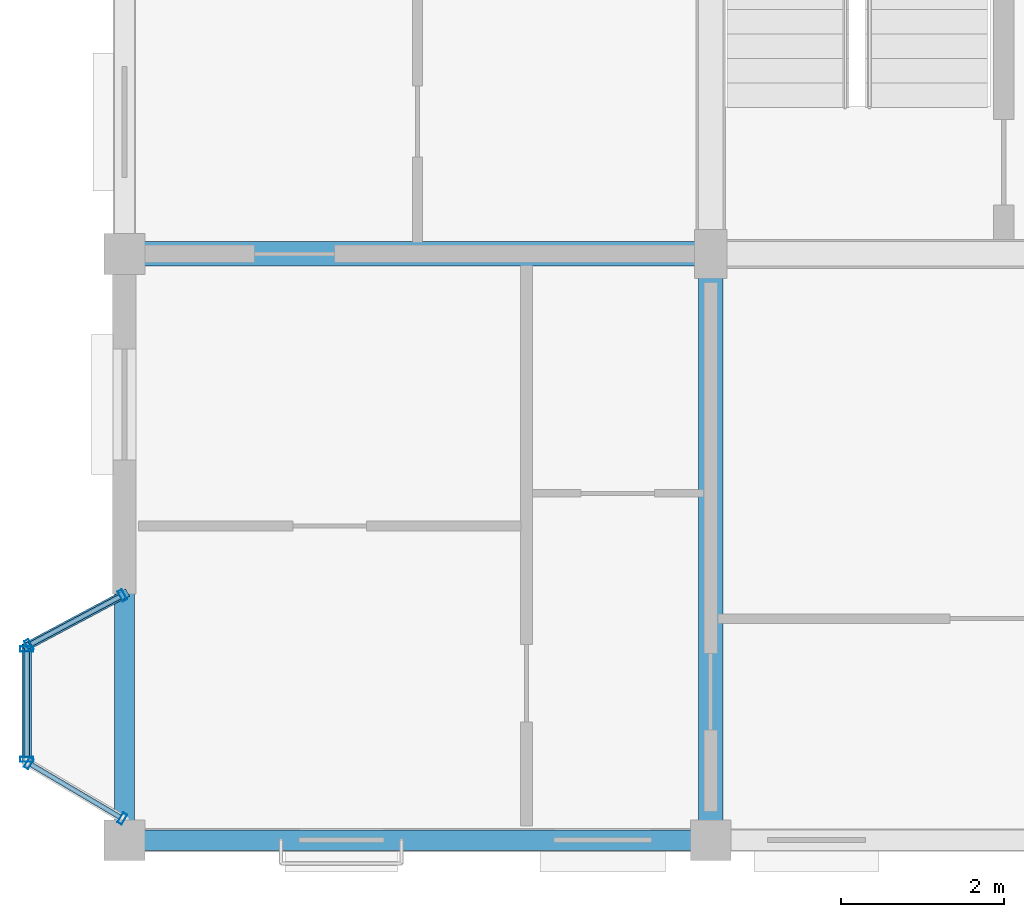
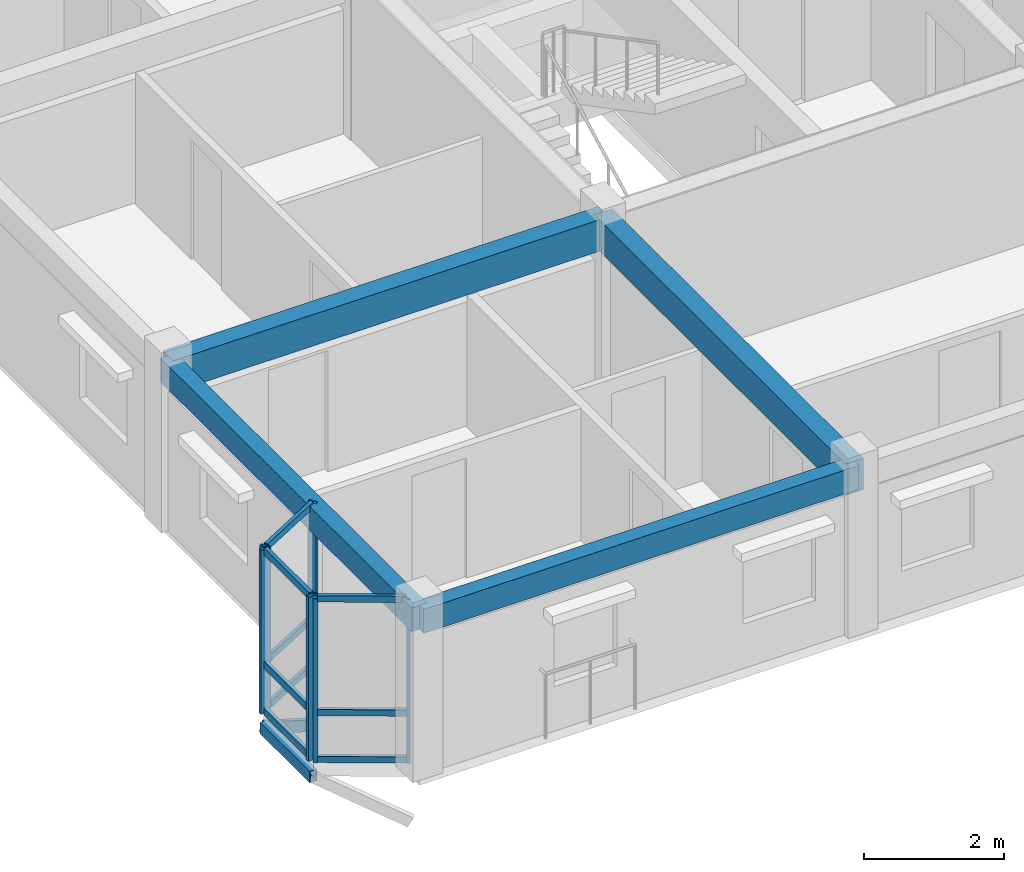
# One storey, part 3 of 38: 17 members, 4 beams, 3 elements without a shape of their own.
"""IFC4 building model written with IfcOpenShell, lengths in metres."""

from ifc_helpers import new_model, si_unit, direction, frame, origin, origin_2d, place, context, subcontext, project, spatial, rectangle, hollow_rectangle, extrude, material, layer, layer_set, material_profile, profile_set, type_object, element, aggregate, save


model = new_model("IFC4")

# Units and contexts
model_context = context("Model", 3, precision=1e-05, world=origin(), true_north=direction((0.0, 1.0)))
body_context = subcontext(model_context, "Body", "Model", "MODEL_VIEW")
ifc_project = project(units=[si_unit("LENGTHUNIT", "METRE"), si_unit("AREAUNIT", "SQUARE_METRE"), si_unit("VOLUMEUNIT", "CUBIC_METRE"), si_unit("PLANEANGLEUNIT", "RADIAN"), si_unit("MASSUNIT", "GRAM", prefix="KILO"), si_unit("THERMODYNAMICTEMPERATUREUNIT", "KELVIN"), si_unit("POWERUNIT", "WATT")], contexts=[model_context])

# Site, building, storey
site_placement = place(None, origin())
site = spatial("IfcSite", under=ifc_project, at=site_placement, CompositionType="ELEMENT")
building_placement = place(site_placement, origin())
building = spatial("IfcBuilding", under=site, at=building_placement, Name="Tavuni Mirador Residences", CompositionType="ELEMENT")
storey_placement = place(building_placement, frame((0.0, 0.0, 32.85009765625)))
storey = spatial("IfcBuildingStorey", under=building, at=storey_placement, Name="L10", CompositionType="ELEMENT", Elevation=32.85009765625)

# Beams
ifc_material_1 = material(Name="Precast concrete C40/50", Category="concrete")
ifc_material_profile_1 = material_profile(ifc_material_1, rectangle(XDim=0.300048828125, YDim=0.550048828125, at=origin_2d()), Name="PC 300x550", Category="concrete")
ifc_profile_set_1 = profile_set([ifc_material_profile_1], Name="Precast concrete C40/50")
beam_type_1 = type_object("IfcBeamType", Name="BT-B550", PredefinedType="BEAM", material=ifc_profile_set_1)
for number, where, z_axis, x_axis, name in (
    (1, (3.60009765625, 14.39990234375, 2.594970703125), (1.0, 0.0, 0.0), (0.0, 1.0, 0.0), "BMX-BLK-A-L10-00-01"),
    (2, (10.800048828125, 7.199951171875, 2.594970703125), (0.0, 1.0, 0.0), (-1.0, 0.0, 0.0), "BMY-BLK-A-L10-01-00"),
):
    element("IfcBeam", number, at=place(storey_placement, frame(where, z_axis=z_axis, x_axis=x_axis)), inside=storey, type_object=beam_type_1, Name=name, PredefinedType="BEAM", context=body_context, shape_type="SweptSolid", body=[
        extrude(rectangle(XDim=0.300048828125, YDim=0.550048828125, at=origin_2d()), origin(), (0.0, 0.0, 1.0), 7.199951171875),
    ])
ifc_material_profile_2 = material_profile(ifc_material_1, rectangle(XDim=0.25, YDim=0.419921875, at=origin_2d()), Name="PC 250x420", Category="concrete")
ifc_profile_set_2 = profile_set([ifc_material_profile_2], Name="Precast concrete C40/50")
beam_type_2 = type_object("IfcBeamType", Name="BT-SP420", PredefinedType="SPANDREL", material=ifc_profile_set_2)
for number, where, z_axis, x_axis, name in (
    (3, (3.60009765625, 7.199951171875, 2.659912109375), (1.0, 0.0, 0.0), (0.0, 1.0, 0.0), "BMX-BLK-A-L10-00-00"),
    (4, (3.60009765625, 7.199951171875, 2.659912109375), (0.0, 1.0, 0.0), (-1.0, 0.0, 0.0), "BMY-BLK-A-L10-00-00"),
):
    element("IfcBeam", number, at=place(storey_placement, frame(where, z_axis=z_axis, x_axis=x_axis)), inside=storey, type_object=beam_type_2, Name=name, PredefinedType="SPANDREL", context=body_context, shape_type="SweptSolid", body=[
        extrude(rectangle(XDim=0.25, YDim=0.419921875, at=origin_2d()), origin(), (0.0, 0.0, 1.0), 7.199951171875),
    ])

# Curtain wall, members
ifc_material_2 = material(Name="Anodised aluminium", Category="aluminium")
ifc_layer_1 = layer(ifc_material_2, 0.1650390625, Name="Anodised aluminium", Category="aluminium")
ifc_layer_set_1 = layer_set([ifc_layer_1], Name="Anodised aluminium")
curtain_wall_type_1 = type_object("IfcCurtainWallType", Name="CWT-MIR-A", PredefinedType="NOTDEFINED", material=ifc_layer_set_1)
curtain_wall_1_placement = place(storey_placement, origin())
curtain_wall_1 = element("IfcCurtainWall", 5, at=curtain_wall_1_placement, inside=storey, type_object=curtain_wall_type_1, Name="CW-MIR-A-W1-L10-M1", PredefinedType="NOTDEFINED")
ifc_material_profile_3 = material_profile(ifc_material_2, hollow_rectangle(XDim=0.06005859375, YDim=0.139892578125, WallThickness=0.00390625, at=origin_2d()), Name="ALU 60x140x4.0", Category="aluminium")
ifc_profile_set_3 = profile_set([ifc_material_profile_3], Name="Anodised aluminium")
member_type_1 = type_object("IfcMemberType", Name="CWM-140", PredefinedType="MULLION", material=ifc_profile_set_3)
member_1_placement = place(storey_placement, frame((3.573486328125, 10.205810546875, 0.0), z_axis=(0.0, 0.0, 1.0), x_axis=(-0.882352941175, -0.470588235296, 0.0)))
member_1 = element("IfcMember", 6, at=member_1_placement, type_object=member_type_1, Name="CW-01 mullion 1", PredefinedType="MULLION", context=body_context, shape_type="SweptSolid", body=[
    extrude(hollow_rectangle(XDim=0.06005859375, YDim=0.139892578125, WallThickness=0.00390625, at=origin_2d()), origin(), (0.0, 0.0, 1.0), 2.869873046875),
])
member_2_placement = place(storey_placement, frame((2.426513671875, 9.59423828125, 0.0), z_axis=(0.0, 0.0, 1.0), x_axis=(-0.882352941175, -0.470588235296, 0.0)))
member_2 = element("IfcMember", 7, at=member_2_placement, type_object=member_type_1, Name="CW-01 mullion 2", PredefinedType="MULLION", context=body_context, shape_type="SweptSolid", body=[
    extrude(hollow_rectangle(XDim=0.06005859375, YDim=0.139892578125, WallThickness=0.00390625, at=origin_2d()), origin(), (0.0, 0.0, 1.0), 2.869873046875),
])

ifc_layer_2 = layer(ifc_material_2, 0.175048828125, Name="Anodised aluminium", Category="aluminium")
ifc_layer_set_2 = layer_set([ifc_layer_2], Name="Anodised aluminium")
curtain_wall_type_2 = type_object("IfcCurtainWallType", Name="CWT-MIR-C", PredefinedType="NOTDEFINED", material=ifc_layer_set_2)
curtain_wall_2_placement = place(storey_placement, origin())
curtain_wall_2 = element("IfcCurtainWall", 8, at=curtain_wall_2_placement, inside=storey, type_object=curtain_wall_type_2, Name="CW-MIR-A-W1-L10-M2", PredefinedType="NOTDEFINED")
member_3_placement = place(storey_placement, frame((2.42578125, 8.144775390625, 0.0), z_axis=(0.0, 0.0, 1.0), x_axis=(0.860640830284, -0.509212491254, 0.0)))
member_3 = element("IfcMember", 9, at=member_3_placement, type_object=member_type_1, Name="CW-03 mullion 1", PredefinedType="MULLION", context=body_context, shape_type="SweptSolid", body=[
    extrude(hollow_rectangle(XDim=0.06005859375, YDim=0.139892578125, WallThickness=0.00390625, at=origin_2d()), origin(), (0.0, 0.0, 1.0), 2.869873046875),
])
member_4_placement = place(storey_placement, frame((3.57421875, 7.46533203125, 0.0), z_axis=(0.0, 0.0, 1.0), x_axis=(0.860640830284, -0.509212491254, 0.0)))
member_4 = element("IfcMember", 10, at=member_4_placement, type_object=member_type_1, Name="CW-03 mullion 2", PredefinedType="MULLION", context=body_context, shape_type="SweptSolid", body=[
    extrude(hollow_rectangle(XDim=0.06005859375, YDim=0.139892578125, WallThickness=0.00390625, at=origin_2d()), origin(), (0.0, 0.0, 1.0), 2.869873046875),
])

ifc_layer_3 = layer(ifc_material_2, 0.14990234375, Name="Anodised aluminium", Category="aluminium")
ifc_layer_set_3 = layer_set([ifc_layer_3], Name="Anodised aluminium")
curtain_wall_type_3 = type_object("IfcCurtainWallType", Name="CWT-MIR-B", PredefinedType="NOTDEFINED", material=ifc_layer_set_3)
curtain_wall_3_placement = place(storey_placement, origin())
curtain_wall_3 = element("IfcCurtainWall", 11, at=curtain_wall_3_placement, inside=storey, type_object=curtain_wall_type_3, Name="CW-MIR-A-W1-L10-MF", PredefinedType="NOTDEFINED")
ifc_material_profile_4 = material_profile(ifc_material_2, hollow_rectangle(XDim=0.06494140625, YDim=0.1650390625, WallThickness=0.00439453125, at=origin_2d()), Name="ALU 65x165x4.5", Category="aluminium")
ifc_profile_set_4 = profile_set([ifc_material_profile_4], Name="Anodised aluminium")
member_type_2 = type_object("IfcMemberType", Name="CWM-165", PredefinedType="MULLION", material=ifc_profile_set_4)
member_5_placement = place(storey_placement, frame((2.39990234375, 9.547607421875, 0.0), z_axis=(0.0, 0.0, 1.0), x_axis=(0.0, -1.0, 0.0)))
member_5 = element("IfcMember", 12, at=member_5_placement, type_object=member_type_2, Name="CW-02 mullion 1", PredefinedType="MULLION", context=body_context, shape_type="SweptSolid", body=[
    extrude(hollow_rectangle(XDim=0.06494140625, YDim=0.1650390625, WallThickness=0.00439453125, at=origin_2d()), origin(), (0.0, 0.0, 1.0), 2.869873046875),
])
member_6_placement = place(storey_placement, frame((2.39990234375, 8.1923828125, 0.0), z_axis=(0.0, 0.0, 1.0), x_axis=(0.0, -1.0, 0.0)))
member_6 = element("IfcMember", 13, at=member_6_placement, type_object=member_type_2, Name="CW-02 mullion 2", PredefinedType="MULLION", context=body_context, shape_type="SweptSolid", body=[
    extrude(hollow_rectangle(XDim=0.06494140625, YDim=0.1650390625, WallThickness=0.00439453125, at=origin_2d()), origin(), (0.0, 0.0, 1.0), 2.869873046875),
])

# Member
ifc_material_profile_5 = material_profile(ifc_material_2, hollow_rectangle(XDim=0.06005859375, YDim=0.110107421875, WallThickness=0.00390625, at=origin_2d()), Name="ALU 60x110x4.0", Category="aluminium")
ifc_profile_set_5 = profile_set([ifc_material_profile_5], Name="Anodised aluminium")
member_type_3 = type_object("IfcMemberType", Name="CWT-110", PredefinedType="USERDEFINED", material=ifc_profile_set_5)
member_7_placement = place(storey_placement, frame((3.547119140625, 10.191650390625, 0.02978515625), z_axis=(-0.882385637708, -0.470526924168, 0.0), x_axis=(0.470526924168, -0.882385637708, 0.0)))
member_7 = element("IfcMember", 14, at=member_7_placement, type_object=member_type_3, Name="CW-01 transom 1.1", ObjectType="TRANSOM", PredefinedType="USERDEFINED", context=body_context, shape_type="SweptSolid", body=[
    extrude(hollow_rectangle(XDim=0.06005859375, YDim=0.110107421875, WallThickness=0.00390625, at=origin_2d()), origin(), (0.0, 0.0, 1.0), 1.239990234375),
])

member_8_placement = place(storey_placement, frame((3.547119140625, 10.191650390625, 0.849853515625), z_axis=(-0.882385637708, -0.470526924168, 0.0), x_axis=(0.470526924168, -0.882385637708, 0.0)))
member_8 = element("IfcMember", 15, at=member_8_placement, type_object=member_type_3, Name="CW-01 transom 1.2", ObjectType="TRANSOM", PredefinedType="USERDEFINED", context=body_context, shape_type="SweptSolid", body=[
    extrude(hollow_rectangle(XDim=0.06005859375, YDim=0.110107421875, WallThickness=0.00390625, at=origin_2d()), origin(), (0.0, 0.0, 1.0), 1.239990234375),
])

member_9_placement = place(storey_placement, frame((3.547119140625, 10.191650390625, 2.83984375), z_axis=(-0.882385637708, -0.470526924168, 0.0), x_axis=(0.470526924168, -0.882385637708, 0.0)))
member_9 = element("IfcMember", 16, at=member_9_placement, type_object=member_type_3, Name="CW-01 transom 1.3", ObjectType="TRANSOM", PredefinedType="USERDEFINED", context=body_context, shape_type="SweptSolid", body=[
    extrude(hollow_rectangle(XDim=0.06005859375, YDim=0.110107421875, WallThickness=0.00390625, at=origin_2d()), origin(), (0.0, 0.0, 1.0), 1.239990234375),
])

aggregate(curtain_wall_1, [member_1, member_2, member_7, member_8, member_9])

member_10_placement = place(storey_placement, frame((2.45166015625, 8.12939453125, 0.02978515625), z_axis=(0.860621238039, -0.509245603452, 0.0), x_axis=(0.509245603452, 0.860621238039, 0.0)))
member_10 = element("IfcMember", 17, at=member_10_placement, type_object=member_type_3, Name="CW-03 transom 1.1", ObjectType="TRANSOM", PredefinedType="USERDEFINED", context=body_context, shape_type="SweptSolid", body=[
    extrude(hollow_rectangle(XDim=0.06005859375, YDim=0.110107421875, WallThickness=0.00390625, at=origin_2d()), origin(), (0.0, 0.0, 1.0), 1.274169921875),
])

member_11_placement = place(storey_placement, frame((2.45166015625, 8.12939453125, 0.849853515625), z_axis=(0.860621238039, -0.509245603452, 0.0), x_axis=(0.509245603452, 0.860621238039, 0.0)))
member_11 = element("IfcMember", 18, at=member_11_placement, type_object=member_type_3, Name="CW-03 transom 1.2", ObjectType="TRANSOM", PredefinedType="USERDEFINED", context=body_context, shape_type="SweptSolid", body=[
    extrude(hollow_rectangle(XDim=0.06005859375, YDim=0.110107421875, WallThickness=0.00390625, at=origin_2d()), origin(), (0.0, 0.0, 1.0), 1.274169921875),
])

member_12_placement = place(storey_placement, frame((2.45166015625, 8.12939453125, 2.83984375), z_axis=(0.860621238039, -0.509245603452, 0.0), x_axis=(0.509245603452, 0.860621238039, 0.0)))
member_12 = element("IfcMember", 19, at=member_12_placement, type_object=member_type_3, Name="CW-03 transom 1.3", ObjectType="TRANSOM", PredefinedType="USERDEFINED", context=body_context, shape_type="SweptSolid", body=[
    extrude(hollow_rectangle(XDim=0.06005859375, YDim=0.110107421875, WallThickness=0.00390625, at=origin_2d()), origin(), (0.0, 0.0, 1.0), 1.274169921875),
])

aggregate(curtain_wall_2, [member_3, member_4, member_10, member_11, member_12])

ifc_material_profile_6 = material_profile(ifc_material_2, hollow_rectangle(XDim=0.06494140625, YDim=0.125, WallThickness=0.00439453125, at=origin_2d()), Name="ALU 65x125x4.5", Category="aluminium")
ifc_profile_set_6 = profile_set([ifc_material_profile_6], Name="Anodised aluminium")
member_type_4 = type_object("IfcMemberType", Name="CWT-125", PredefinedType="USERDEFINED", material=ifc_profile_set_6)
member_13_placement = place(storey_placement, frame((2.39990234375, 9.514892578125, 0.032470703125), z_axis=(0.0, -1.0, 0.0), x_axis=(1.0, 0.0, 0.0)))
member_13 = element("IfcMember", 20, at=member_13_placement, type_object=member_type_4, Name="CW-02 transom 1.1", ObjectType="TRANSOM", PredefinedType="USERDEFINED", context=body_context, shape_type="SweptSolid", body=[
    extrude(hollow_rectangle(XDim=0.06494140625, YDim=0.125, WallThickness=0.00439453125, at=origin_2d()), origin(), (0.0, 0.0, 1.0), 1.289794921875),
])

member_14_placement = place(storey_placement, frame((2.39990234375, 9.514892578125, 0.849853515625), z_axis=(0.0, -1.0, 0.0), x_axis=(1.0, 0.0, 0.0)))
member_14 = element("IfcMember", 21, at=member_14_placement, type_object=member_type_4, Name="CW-02 transom 1.2", ObjectType="TRANSOM", PredefinedType="USERDEFINED", context=body_context, shape_type="SweptSolid", body=[
    extrude(hollow_rectangle(XDim=0.06494140625, YDim=0.125, WallThickness=0.00439453125, at=origin_2d()), origin(), (0.0, 0.0, 1.0), 1.289794921875),
])

member_15_placement = place(storey_placement, frame((2.39990234375, 9.514892578125, 2.83740234375), z_axis=(0.0, -1.0, 0.0), x_axis=(1.0, 0.0, 0.0)))
member_15 = element("IfcMember", 22, at=member_15_placement, type_object=member_type_4, Name="CW-02 transom 1.3", ObjectType="TRANSOM", PredefinedType="USERDEFINED", context=body_context, shape_type="SweptSolid", body=[
    extrude(hollow_rectangle(XDim=0.06494140625, YDim=0.125, WallThickness=0.00439453125, at=origin_2d()), origin(), (0.0, 0.0, 1.0), 1.289794921875),
])

aggregate(curtain_wall_3, [member_5, member_6, member_13, member_14, member_15])

# Members
ifc_material_3 = material(Name="Structural steel S355", Category="steel")
ifc_material_profile_7 = material_profile(ifc_material_3, hollow_rectangle(XDim=0.10009765625, YDim=0.179931640625, WallThickness=0.008056640625, at=origin_2d()), Name="RHS 180x100x8.0", Category="steel")
ifc_profile_set_7 = profile_set([ifc_material_profile_7], Name="Structural steel S355")
member_type_5 = type_object("IfcMemberType", Name="MT-BR-RHS180", PredefinedType="BRACE", material=ifc_profile_set_7)
member_16_placement = place(storey_placement, frame((3.60009765625, 10.219970703125, -1.050048828125), z_axis=(-0.767896193149, -0.409409260017, 0.492665702439), x_axis=(0.470467115558, -0.882417527692, 0.0)))
element("IfcMember", 23, at=member_16_placement, inside=storey, type_object=member_type_5, Name="MBRK-MIR-A-W1-L10-2", PredefinedType="BRACE", context=body_context, shape_type="SweptSolid", body=[
    extrude(hollow_rectangle(XDim=0.10009765625, YDim=0.179931640625, WallThickness=0.008056640625, at=origin_2d()), origin(), (0.0, 0.0, 1.0), 1.56298828125),
])
ifc_material_profile_8 = material_profile(ifc_material_3, hollow_rectangle(XDim=0.1201171875, YDim=0.199951171875, WallThickness=0.010009765625, at=origin_2d()), Name="RHS 200x120x10.0", Category="steel")
ifc_profile_set_8 = profile_set([ifc_material_profile_8], Name="Structural steel S355")
member_type_6 = type_object("IfcMemberType", Name="MT-ST-RHS200", PredefinedType="STRUT", material=ifc_profile_set_8)
member_17_placement = place(storey_placement, frame((2.39990234375, 8.159912109375, -0.280029296875), z_axis=(0.0, 1.0, 0.0), x_axis=(-1.0, 0.0, 0.0)))
element("IfcMember", 24, at=member_17_placement, inside=storey, type_object=member_type_6, Name="MRIM-MIR-A-W1-L10", PredefinedType="STRUT", context=body_context, shape_type="SweptSolid", body=[
    extrude(hollow_rectangle(XDim=0.1201171875, YDim=0.199951171875, WallThickness=0.010009765625, at=origin_2d()), origin(), (0.0, 0.0, 1.0), 1.420166015625),
])

save(model, "model.ifc")
